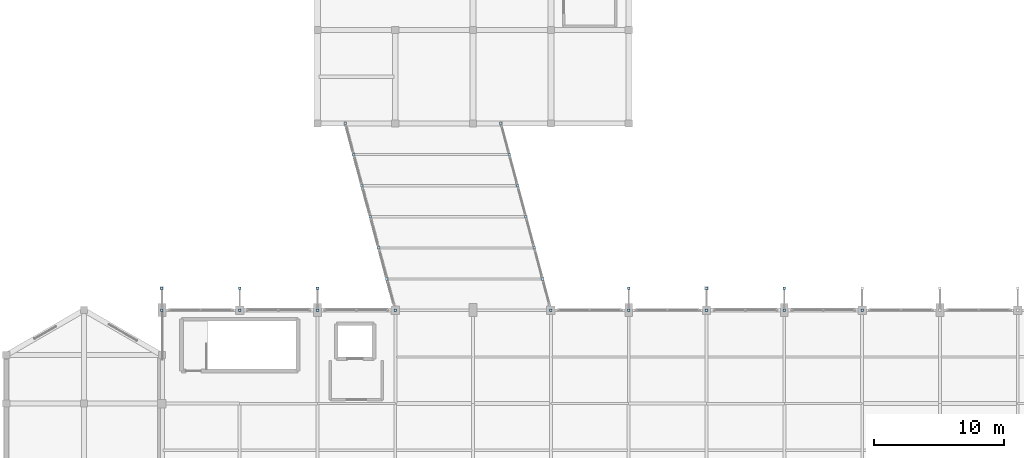
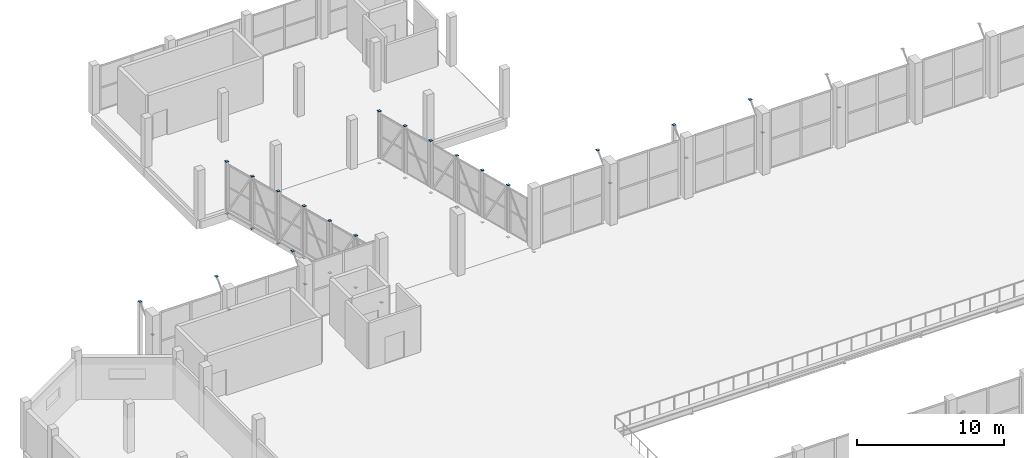
# One storey, part 102 of 127: 39 plates.
"""IFC4 building model written with IfcOpenShell, lengths in metres."""

from ifc_helpers import new_model, si_unit, direction, frame, origin, origin_2d, place, context, subcontext, project, spatial, rectangle, extrude, material, layer, layer_set, type_object, element, save


model = new_model("IFC4")

# Units and contexts
model_context = context("Model", 3, precision=1e-05, world=origin(), true_north=direction((0.0, 1.0)))
body_context = subcontext(model_context, "Body", "Model", "MODEL_VIEW")
ifc_project = project(units=[si_unit("LENGTHUNIT", "METRE"), si_unit("AREAUNIT", "SQUARE_METRE"), si_unit("VOLUMEUNIT", "CUBIC_METRE"), si_unit("PLANEANGLEUNIT", "RADIAN"), si_unit("MASSUNIT", "GRAM", prefix="KILO")], contexts=[model_context])

# Site, building, storey
site_placement = place(None, origin())
site = spatial("IfcSite", under=ifc_project, at=site_placement, CompositionType="ELEMENT")
building_placement = place(site_placement, origin())
building = spatial("IfcBuilding", under=site, at=building_placement, Name="Dunvalen Ferry Terminal", CompositionType="ELEMENT")
storey_placement = place(building_placement, frame((0.0, 0.0, 5.760009765625)))
storey = spatial("IfcBuildingStorey", under=building, at=storey_placement, Name="L01", CompositionType="ELEMENT", Elevation=5.760009765625)

# Plates
ifc_material = material(Name="Steel S355", Category="steel")
ifc_layer_1 = layer(ifc_material, 0.02001953125, Name="Steel S355")
ifc_layer_set_1 = layer_set([ifc_layer_1], Name="Steel S355")
plate_type_1 = type_object("IfcPlateType", Name="STR-PL-GUSSET-01", PredefinedType="USERDEFINED", material=ifc_layer_set_1)
for number, where, z_axis, x_axis, name in (
    (1, (12.0, 86.39990234375, 3.179931640625), (0.0, 0.0, 1.0), (1.0, 0.0, 0.0), "L01 Brace-Strut End Cleat Plate 105"),
    (2, (18.0, 86.39990234375, 3.179931640625), (0.0, 0.0, 1.0), (1.0, 0.0, 0.0), "L01 Brace-Strut End Cleat Plate 107"),
    (3, (24.0, 86.39990234375, 3.179931640625), (0.0, 0.0, 1.0), (1.0, 0.0, 0.0), "L01 Brace-Strut End Cleat Plate 109"),
    (4, (48.0, 86.39990234375, 3.179931640625), (0.0, 0.0, 1.0), (1.0, 0.0, 0.0), "L01 Brace-Strut End Cleat Plate 115"),
    (5, (54.0, 86.39990234375, 3.179931640625), (0.0, 0.0, 1.0), (1.0, 0.0, 0.0), "L01 Brace-Strut End Cleat Plate 119"),
    (6, (60.0, 86.39990234375, 3.179931640625), (0.0, 0.0, 1.0), (1.0, 0.0, 0.0), "L01 Brace-Strut End Cleat Plate 123"),
    (7, (66.0, 86.39990234375, 3.179931640625), (0.0, 0.0, 1.0), (1.0, 0.0, 0.0), "L01 Brace-Strut End Cleat Plate 127"),
    (8, (30.0, 86.39990234375, -0.449951171875), (0.0, 0.0, 1.0), (1.0, 0.0, 0.0), "L01 Brace-Strut End Cleat Plate 511"),
    (9, (29.35693359375, 88.800048828125, -0.449951171875), (0.0, 0.0, 1.0), (1.0, 0.0, 0.0), "L01 Brace-Strut End Cleat Plate 513"),
    (10, (28.7138671875, 91.199951171875, 3.889892578125), (0.0, 0.0, 1.0), (1.0, 0.0, 0.0), "L01 Brace-Strut End Cleat Plate 515"),
    (11, (28.07080078125, 93.60009765625, -0.449951171875), (0.0, 0.0, 1.0), (1.0, 0.0, 0.0), "L01 Brace-Strut End Cleat Plate 517"),
    (12, (27.427734375, 96.0, 3.889892578125), (0.0, 0.0, 1.0), (1.0, 0.0, 0.0), "L01 Brace-Strut End Cleat Plate 519"),
    (13, (26.78466796875, 98.39990234375, -0.449951171875), (0.0, 0.0, 1.0), (1.0, 0.0, 0.0), "L01 Brace-Strut End Cleat Plate 521"),
    (14, (26.1416015625, 100.800048828125, 3.889892578125), (0.0, 0.0, 1.0), (1.0, 0.0, 0.0), "L01 Brace-Strut End Cleat Plate 523"),
    (15, (41.35693359375, 88.800048828125, 3.889892578125), (0.0, 0.0, 1.0), (1.0, 0.0, 0.0), "L01 Brace-Strut End Cleat Plate 525"),
    (16, (40.7138671875, 91.199951171875, -0.449951171875), (0.0, 0.0, 1.0), (1.0, 0.0, 0.0), "L01 Brace-Strut End Cleat Plate 527"),
    (17, (40.07080078125, 93.60009765625, 3.889892578125), (0.0, 0.0, 1.0), (1.0, 0.0, 0.0), "L01 Brace-Strut End Cleat Plate 529"),
    (18, (39.427734375, 96.0, -0.449951171875), (0.0, 0.0, 1.0), (1.0, 0.0, 0.0), "L01 Brace-Strut End Cleat Plate 531"),
    (19, (38.78466796875, 98.39990234375, 3.889892578125), (0.0, 0.0, 1.0), (1.0, 0.0, 0.0), "L01 Brace-Strut End Cleat Plate 533"),
    (20, (38.1416015625, 100.800048828125, -0.449951171875), (0.0, 0.0, 1.0), (1.0, 0.0, 0.0), "L01 Brace-Strut End Cleat Plate 535"),
):
    element("IfcPlate", number, at=place(storey_placement, frame(where, z_axis=z_axis, x_axis=x_axis)), inside=storey, type_object=plate_type_1, Name=name, ObjectType="GUSSET PLATE", PredefinedType="USERDEFINED", context=body_context, shape_type="SweptSolid", body=[
        extrude(rectangle(XDim=0.199951171875, YDim=0.199951171875, at=origin_2d()), origin(), (0.0, 0.0, 1.0), 0.02001953125),
    ])
ifc_layer_2 = layer(ifc_material, 0.02587890625, Name="Steel S355")
ifc_layer_set_2 = layer_set([ifc_layer_2], Name="Steel S355")
plate_type_2 = type_object("IfcPlateType", Name="STR-PL-GUSSET-02", PredefinedType="USERDEFINED", material=ifc_layer_set_2)
for number, where, z_axis, x_axis, name in (
    (21, (12.0, 88.10009765625, 4.886962890625), (0.0, 0.0, 1.0), (1.0, 0.0, 0.0), "L01 Brace-Strut End Cleat Plate 106"),
    (22, (18.0, 88.10009765625, 4.886962890625), (0.0, 0.0, 1.0), (1.0, 0.0, 0.0), "L01 Brace-Strut End Cleat Plate 108"),
    (23, (24.0, 88.10009765625, 4.886962890625), (0.0, 0.0, 1.0), (1.0, 0.0, 0.0), "L01 Brace-Strut End Cleat Plate 110"),
    (24, (48.0, 88.10009765625, 4.886962890625), (0.0, 0.0, 1.0), (1.0, 0.0, 0.0), "L01 Brace-Strut End Cleat Plate 116"),
    (25, (54.0, 88.10009765625, 4.886962890625), (0.0, 0.0, 1.0), (1.0, 0.0, 0.0), "L01 Brace-Strut End Cleat Plate 120"),
    (26, (60.0, 88.10009765625, 4.886962890625), (0.0, 0.0, 1.0), (1.0, 0.0, 0.0), "L01 Brace-Strut End Cleat Plate 124"),
    (27, (29.35693359375, 88.800048828125, 3.886962890625), (0.0, 0.0, 1.0), (1.0, 0.0, 0.0), "L01 Brace-Strut End Cleat Plate 512"),
    (28, (28.7138671875, 91.199951171875, -0.452880859375), (0.0, 0.0, 1.0), (1.0, 0.0, 0.0), "L01 Brace-Strut End Cleat Plate 514"),
    (29, (28.07080078125, 93.60009765625, 3.886962890625), (0.0, 0.0, 1.0), (1.0, 0.0, 0.0), "L01 Brace-Strut End Cleat Plate 516"),
    (30, (27.427734375, 96.0, -0.452880859375), (0.0, 0.0, 1.0), (1.0, 0.0, 0.0), "L01 Brace-Strut End Cleat Plate 518"),
    (31, (26.78466796875, 98.39990234375, 3.886962890625), (0.0, 0.0, 1.0), (1.0, 0.0, 0.0), "L01 Brace-Strut End Cleat Plate 520"),
    (32, (26.1416015625, 100.800048828125, -0.452880859375), (0.0, 0.0, 1.0), (1.0, 0.0, 0.0), "L01 Brace-Strut End Cleat Plate 522"),
    (33, (42.0, 86.39990234375, -0.452880859375), (0.0, 0.0, 1.0), (1.0, 0.0, 0.0), "L01 Brace-Strut End Cleat Plate 524"),
    (34, (41.35693359375, 88.800048828125, -0.452880859375), (0.0, 0.0, 1.0), (1.0, 0.0, 0.0), "L01 Brace-Strut End Cleat Plate 526"),
    (35, (40.7138671875, 91.199951171875, 3.886962890625), (0.0, 0.0, 1.0), (1.0, 0.0, 0.0), "L01 Brace-Strut End Cleat Plate 528"),
    (36, (40.07080078125, 93.60009765625, -0.452880859375), (0.0, 0.0, 1.0), (1.0, 0.0, 0.0), "L01 Brace-Strut End Cleat Plate 530"),
    (37, (39.427734375, 96.0, 3.886962890625), (0.0, 0.0, 1.0), (1.0, 0.0, 0.0), "L01 Brace-Strut End Cleat Plate 532"),
    (38, (38.78466796875, 98.39990234375, -0.452880859375), (0.0, 0.0, 1.0), (1.0, 0.0, 0.0), "L01 Brace-Strut End Cleat Plate 534"),
    (39, (38.1416015625, 100.800048828125, 3.886962890625), (0.0, 0.0, 1.0), (1.0, 0.0, 0.0), "L01 Brace-Strut End Cleat Plate 536"),
):
    element("IfcPlate", number, at=place(storey_placement, frame(where, z_axis=z_axis, x_axis=x_axis)), inside=storey, type_object=plate_type_2, Name=name, ObjectType="GUSSET PLATE", PredefinedType="USERDEFINED", context=body_context, shape_type="SweptSolid", body=[
        extrude(rectangle(XDim=0.199951171875, YDim=0.199951171875, at=origin_2d()), origin(), (0.0, 0.0, 1.0), 0.02587890625),
    ])

save(model, "model.ifc")
